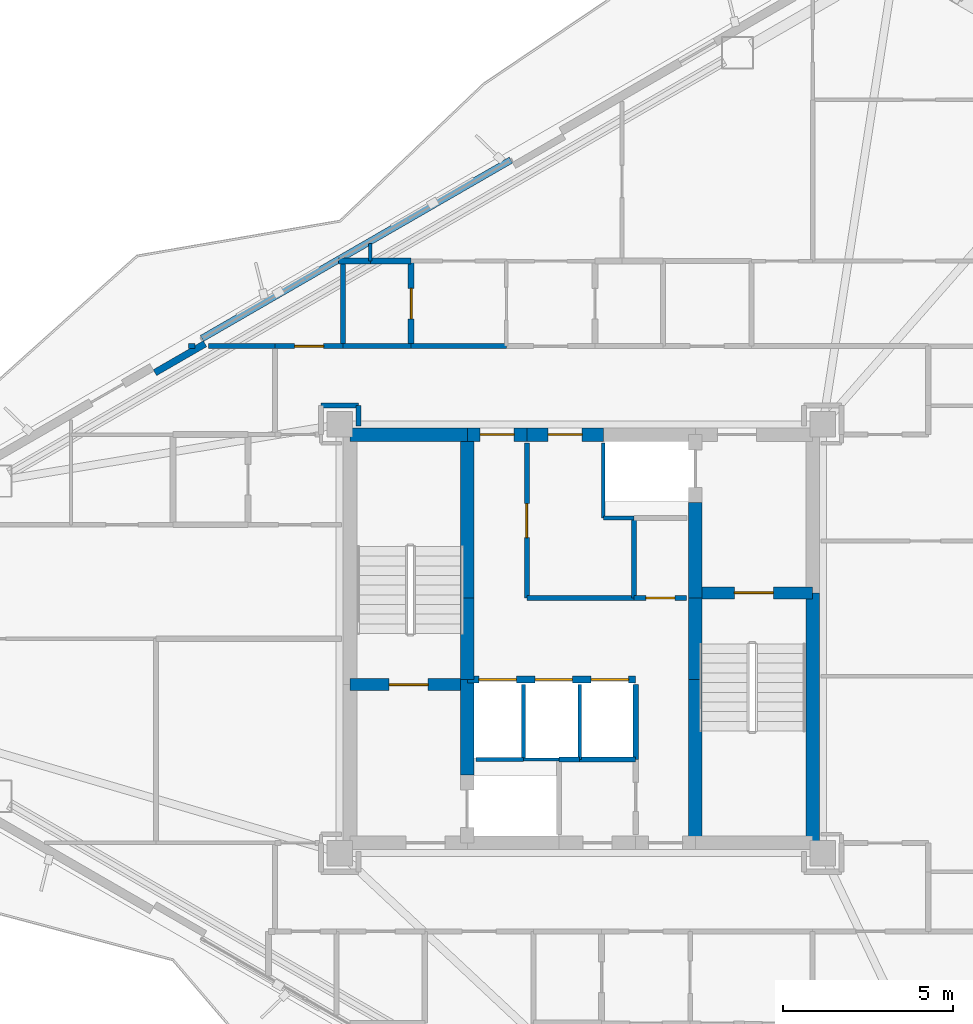
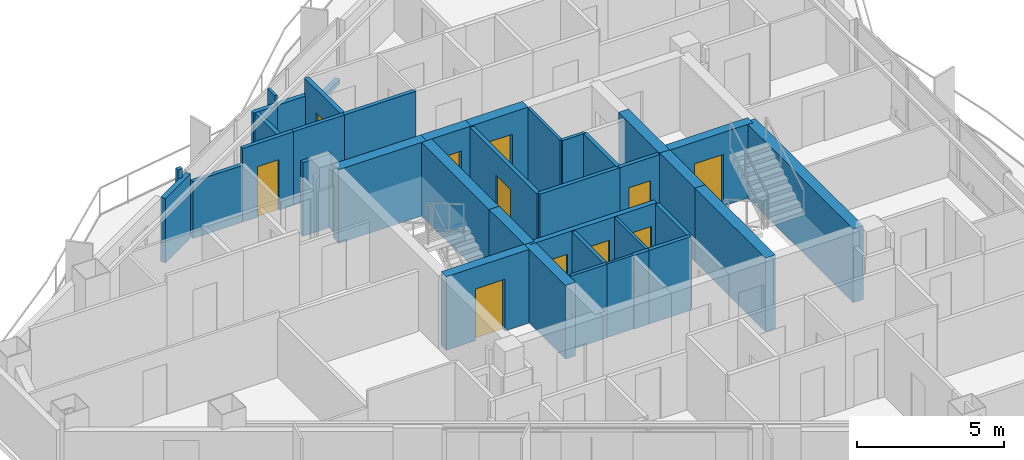
# One storey, part 14 of 18: 40 walls, 11 doors, 11 openings.
"""IFC4 building model written with IfcOpenShell, lengths in metres."""

from ifc_helpers import new_model, si_unit, direction, frame, frame_2d, origin, place, context, subcontext, project, spatial, rectangle, extrude, material, layer, layer_set, type_object, element, fill, save


model = new_model("IFC4")

# Units and contexts
model_context = context("Model", 3, precision=1e-05, world=origin(), true_north=direction((0.0, 1.0)))
body_context = subcontext(model_context, "Body", "Model", "MODEL_VIEW")
ifc_project = project(units=[si_unit("LENGTHUNIT", "METRE"), si_unit("AREAUNIT", "SQUARE_METRE"), si_unit("VOLUMEUNIT", "CUBIC_METRE"), si_unit("PLANEANGLEUNIT", "RADIAN"), si_unit("MASSUNIT", "GRAM", prefix="KILO")], contexts=[model_context])

# Site, building, storey
site_placement = place(None, origin())
site = spatial("IfcSite", under=ifc_project, at=site_placement, CompositionType="ELEMENT")
building_placement = place(site_placement, origin())
building = spatial("IfcBuilding", under=site, at=building_placement, Name="Mersakhor Tower and Convention Hall", CompositionType="ELEMENT")
storey_placement = place(building_placement, frame((0.0, 0.0, 134.39990234375)))
storey = spatial("IfcBuildingStorey", under=building, at=storey_placement, Name="L37", CompositionType="ELEMENT", Elevation=134.39990234375)

# Walls
ifc_material_1 = material(Name="Precast concrete C40/50", Category="concrete")
ifc_layer_1 = layer(ifc_material_1, 0.199951171875)
ifc_layer_set_1 = layer_set([ifc_layer_1], Name="Precast concrete C40/50")
wall_type_1 = type_object("IfcWallType", Name="WL-PAR-200", PredefinedType="PARAPET", material=ifc_layer_set_1)
wall_1_placement = place(storey_placement, frame((17.849853515625, 35.57666015625, 0.0), z_axis=(0.0, 0.0, 1.0), x_axis=(0.866026619769, 0.499997893847, 0.0)))
element("IfcWall", 1, at=wall_1_placement, inside=storey, type_object=wall_type_1, Name="L37 Curtain Wall Upstand Sill F1-B2", PredefinedType="PARAPET", context=body_context, shape_type="SweptSolid", body=[
    extrude(rectangle(XDim=10.48583984375, YDim=0.199951171875, at=frame_2d((5.242919921875, 0.0))), origin(), (0.0, 0.0, 1.0), 0.2001953125),
])
wall_2_placement = place(storey_placement, frame((16.467529296875, 34.57080078125, 0.0), z_axis=(0.0, 0.0, 1.0), x_axis=(0.865989465428, 0.500062241894, 0.0)))
element("IfcWall", 2, at=wall_2_placement, inside=storey, type_object=wall_type_1, Name="L37 Column Pier Cladding Wall F1-C1", PredefinedType="PARAPET", context=body_context, shape_type="SweptSolid", body=[
    extrude(rectangle(XDim=1.699951171875, YDim=0.199951171875, at=frame_2d((0.85009765625, 0.0))), origin(), (0.0, 0.0, 1.0), 2.68017578125),
])

# Wall, opening, door
ifc_material_2 = material(Name="Moisture-resistant acoustic drywall studwork", Category="other")
ifc_layer_2 = layer(ifc_material_2, 0.175048828125)
ifc_layer_set_2 = layer_set([ifc_layer_2], Name="Moisture-resistant acoustic drywall studwork")
wall_type_2 = type_object("IfcWallType", Name="WL-PLM-175", PredefinedType="PLUMBINGWALL", material=ifc_layer_set_2)
wall_3_placement = place(storey_placement, frame((24.0, 35.35009765625, 0.0), z_axis=(0.0, 0.0, 1.0), x_axis=(0.0, 1.0, 0.0)))
wall_3 = element("IfcWall", 3, at=wall_3_placement, inside=storey, type_object=wall_type_2, Name="L37 Interior Partition Wall P-064", PredefinedType="PLUMBINGWALL", context=body_context, shape_type="SweptSolid", body=[
    extrude(rectangle(XDim=2.5, YDim=0.175048828125, at=frame_2d((1.25, 0.0))), origin(), (0.0, 0.0, 1.0), 3.06005859375),
])
opening_1_placement = place(wall_3_placement, frame((0.800048828125, 0.0, 0.0)))
opening_1 = element("IfcOpeningElement", 4, at=opening_1_placement, cuts=wall_3, Name="Opening WD-01", PredefinedType="OPENING", context=body_context, shape_type="SweptSolid", body=[
    extrude(rectangle(XDim=0.89990234375, YDim=2.10009765625, at=frame_2d((0.449951171875, 1.050048828125))), frame((0.0, 0.097412109375, 0.0), z_axis=(0.0, -1.0, 0.0), x_axis=(1.0, 0.0, 0.0)), (0.0, 0.0, 1.0), 0.195068359375),
])
ifc_material_3 = material(Name="Solid-core hardwood leaf in painted steel frame", Category="steel")
door_type_1 = type_object("IfcDoorType", Name="DR-INT-WET-090x210", OperationType="NOTDEFINED", PredefinedType="DOOR", material=ifc_material_3)
door_1_placement = place(opening_1_placement, origin())
door_1 = element("IfcDoor", 5, at=door_1_placement, inside=storey, type_object=door_type_1, Name="L37 L37 Flat N1 Kitchen to L37 Flat N1 Bathroom Door", OperationType="SINGLE_SWING_RIGHT", OverallHeight=2.10009765625, OverallWidth=0.89990234375, PredefinedType="DOOR", context=body_context, shape_type="SweptSolid", body=[
    extrude(rectangle(XDim=0.89990234375, YDim=2.10009765625, at=frame_2d((0.449951171875, 1.050048828125))), frame((0.0, 0.02490234375, 0.0), z_axis=(0.0, -1.0, 0.0), x_axis=(1.0, 0.0, 0.0)), (0.0, 0.0, 1.0), 0.050048828125),
])
fill(opening_1, door_1)

# Walls
wall_4_placement = place(storey_placement, frame((21.8564453125, 37.85009765625, 0.0), z_axis=(0.0, 0.0, 1.0), x_axis=(1.0, 0.0, 0.0)))
element("IfcWall", 6, at=wall_4_placement, inside=storey, type_object=wall_type_2, Name="L37 Interior Partition Wall P-065", PredefinedType="PLUMBINGWALL", context=body_context, shape_type="SweptSolid", body=[
    extrude(rectangle(XDim=0.943603515625, YDim=0.175048828125, at=frame_2d((0.4716796875, 0.0))), origin(), (0.0, 0.0, 1.0), 2.364990234375),
])
wall_5_placement = place(storey_placement, frame((22.800048828125, 37.85009765625, 0.0), z_axis=(0.0, 0.0, 1.0), x_axis=(1.0, 0.0, 0.0)))
element("IfcWall", 7, at=wall_5_placement, inside=storey, type_object=wall_type_2, Name="L37 Interior Partition Wall P-066", PredefinedType="PLUMBINGWALL", context=body_context, shape_type="SweptSolid", body=[
    extrude(rectangle(XDim=1.199951171875, YDim=0.175048828125, at=frame_2d((0.60009765625, 0.0))), origin(), (0.0, 0.0, 1.0), 2.364990234375),
])
ifc_material_4 = material(Name="Lightweight gypsum partition", Category="other")
ifc_layer_3 = layer(ifc_material_4, 0.10009765625)
ifc_layer_set_3 = layer_set([ifc_layer_3], Name="Lightweight gypsum partition")
wall_type_3 = type_object("IfcWallType", Name="WL-PRT-100", PredefinedType="PARTITIONING", material=ifc_layer_set_3)
wall_6_placement = place(storey_placement, frame((27.300048828125, 23.199951171875, 0.0), z_axis=(0.0, 0.0, 1.0), x_axis=(1.0, 0.0, 0.0)))
element("IfcWall", 8, at=wall_6_placement, inside=storey, type_object=wall_type_3, Name="L37 Interior Partition Wall P-002", PredefinedType="PARTITIONING", context=body_context, shape_type="SweptSolid", body=[
    extrude(rectangle(XDim=1.050048828125, YDim=0.10009765625, at=frame_2d((0.52490234375, 0.0))), origin(), (0.0, 0.0, 1.0), 3.06005859375),
])
for number, where, z_axis, x_axis, name in (
    (9, (29.64990234375, 30.300048828125, 0.0), (0.0, 0.0, 1.0), (0.0, 1.0, 0.0), "L37 Interior Partition Wall P-006"),
    (10, (28.949951171875, 25.39990234375, 0.0), (0.0, 0.0, 1.0), (0.0, -1.0, 0.0), "L37 Interior Partition Wall P-008"),
):
    element("IfcWall", number, at=place(storey_placement, frame(where, z_axis=z_axis, x_axis=x_axis)), inside=storey, type_object=wall_type_3, Name=name, PredefinedType="PARTITIONING", context=body_context, shape_type="SweptSolid", body=[
        extrude(rectangle(XDim=2.199951171875, YDim=0.10009765625, at=frame_2d((1.10009765625, 0.0))), origin(), (0.0, 0.0, 1.0), 3.06005859375),
    ])
wall_7_placement = place(storey_placement, frame((22.800048828125, 37.85009765625, 0.0), z_axis=(0.0, 0.0, 1.0), x_axis=(0.0, 1.0, 0.0)))
element("IfcWall", 11, at=wall_7_placement, inside=storey, type_object=wall_type_3, Name="L37 Interior Partition Wall P-110", PredefinedType="PARTITIONING", context=body_context, shape_type="SweptSolid", body=[
    extrude(rectangle(XDim=0.510498046875, YDim=0.10009765625, at=frame_2d((0.25537109375, 0.0))), origin(), (0.0, 0.0, 1.0), 2.724609375),
])
ifc_material_5 = material(Name="Gypsum board acoustic partition", Category="other")
ifc_layer_4 = layer(ifc_material_5, 0.125)
ifc_layer_set_4 = layer_set([ifc_layer_4], Name="Gypsum board acoustic partition")
wall_type_4 = type_object("IfcWallType", Name="WL-PRT-125", PredefinedType="PARTITIONING", material=ifc_layer_set_4)
wall_8_placement = place(storey_placement, frame((25.89990234375, 23.199951171875, 0.0), z_axis=(0.0, 0.0, 1.0), x_axis=(1.0, 0.0, 0.0)))
element("IfcWall", 12, at=wall_8_placement, inside=storey, type_object=wall_type_4, Name="L37 Interior Partition Wall P-001", PredefinedType="PARTITIONING", context=body_context, shape_type="SweptSolid", body=[
    extrude(rectangle(XDim=1.400146484375, YDim=0.125, at=frame_2d((0.7001953125, 0.0))), origin(), (0.0, 0.0, 1.0), 3.06005859375),
])
wall_9_placement = place(storey_placement, frame((30.550048828125, 30.300048828125, 0.0), z_axis=(0.0, 0.0, 1.0), x_axis=(-1.0, 0.0, 0.0)))
element("IfcWall", 13, at=wall_9_placement, inside=storey, type_object=wall_type_4, Name="L37 Interior Partition Wall P-005", PredefinedType="PARTITIONING", context=body_context, shape_type="SweptSolid", body=[
    extrude(rectangle(XDim=0.900146484375, YDim=0.125, at=frame_2d((0.4501953125, 0.0))), origin(), (0.0, 0.0, 1.0), 3.06005859375),
])
wall_10_placement = place(storey_placement, frame((27.300048828125, 25.39990234375, 0.0), z_axis=(0.0, 0.0, 1.0), x_axis=(0.0, -1.0, 0.0)))
element("IfcWall", 14, at=wall_10_placement, inside=storey, type_object=wall_type_4, Name="L37 Interior Partition Wall P-007", PredefinedType="PARTITIONING", context=body_context, shape_type="SweptSolid", body=[
    extrude(rectangle(XDim=2.199951171875, YDim=0.125, at=frame_2d((1.10009765625, 0.0))), origin(), (0.0, 0.0, 1.0), 3.06005859375),
])
ifc_material_6 = material(Name="Fire-rated gypsum board stud partition", Category="other")
ifc_layer_5 = layer(ifc_material_6, 0.14990234375)
ifc_layer_set_5 = layer_set([ifc_layer_5], Name="Fire-rated gypsum board stud partition")
wall_type_5 = type_object("IfcWallType", Name="WL-PRT-150", PredefinedType="PARTITIONING", material=ifc_layer_set_5)
wall_11_placement = place(storey_placement, frame((28.949951171875, 23.199951171875, 0.0), z_axis=(0.0, 0.0, 1.0), x_axis=(-1.0, 0.0, 0.0)))
element("IfcWall", 15, at=wall_11_placement, inside=storey, type_object=wall_type_5, Name="L37 Interior Partition Wall P-009", PredefinedType="PARTITIONING", context=body_context, shape_type="SweptSolid", body=[
    extrude(rectangle(XDim=0.599853515625, YDim=0.14990234375, at=frame_2d((0.2998046875, 0.0))), origin(), (0.0, 0.0, 1.0), 3.06005859375),
])
wall_12_placement = place(storey_placement, frame((30.60009765625, 25.39990234375, 0.0), z_axis=(0.0, 0.0, 1.0), x_axis=(0.0, -1.0, 0.0)))
element("IfcWall", 16, at=wall_12_placement, inside=storey, type_object=wall_type_5, Name="L37 Interior Partition Wall P-010", PredefinedType="PARTITIONING", context=body_context, shape_type="SweptSolid", body=[
    extrude(rectangle(XDim=2.199951171875, YDim=0.14990234375, at=frame_2d((1.10009765625, 0.0))), origin(), (0.0, 0.0, 1.0), 3.06005859375),
])
wall_13_placement = place(storey_placement, frame((30.60009765625, 23.199951171875, 0.0), z_axis=(0.0, 0.0, 1.0), x_axis=(-1.0, 0.0, 0.0)))
element("IfcWall", 17, at=wall_13_placement, inside=storey, type_object=wall_type_5, Name="L37 Interior Partition Wall P-011", PredefinedType="PARTITIONING", context=body_context, shape_type="SweptSolid", body=[
    extrude(rectangle(XDim=1.650146484375, YDim=0.14990234375, at=frame_2d((0.8251953125, 0.0))), origin(), (0.0, 0.0, 1.0), 3.06005859375),
])

# Wall, opening, door
wall_14_placement = place(storey_placement, frame((27.39990234375, 32.5, 0.0), z_axis=(0.0, 0.0, 1.0), x_axis=(0.0, -1.0, 0.0)))
wall_14 = element("IfcWall", 18, at=wall_14_placement, inside=storey, type_object=wall_type_5, Name="L37 Interior Partition Wall P-013", PredefinedType="PARTITIONING", context=body_context, shape_type="SweptSolid", body=[
    extrude(rectangle(XDim=4.550048828125, YDim=0.14990234375, at=frame_2d((2.27490234375, 0.0))), origin(), (0.0, 0.0, 1.0), 3.06005859375),
])
opening_2_placement = place(wall_14_placement, frame((1.77490234375, 0.0, 0.0)))
opening_2 = element("IfcOpeningElement", 19, at=opening_2_placement, cuts=wall_14, Name="Opening FD-01", PredefinedType="OPENING", context=body_context, shape_type="SweptSolid", body=[
    extrude(rectangle(XDim=1.0, YDim=2.14990234375, at=frame_2d((0.5, 1.074951171875))), frame((0.0, 0.0849609375, 0.0), z_axis=(0.0, -1.0, 0.0), x_axis=(1.0, 0.0, 0.0)), (0.0, 0.0, 1.0), 0.169921875),
])
ifc_material_7 = material(Name="Fire-rated hardwood leaf and painted steel frame", Category="steel")
door_type_2 = type_object("IfcDoorType", Name="DR-INT-FLT-100x215", OperationType="NOTDEFINED", PredefinedType="DOOR", material=ifc_material_7)
door_2_placement = place(opening_2_placement, origin())
door_2 = element("IfcDoor", 20, at=door_2_placement, inside=storey, type_object=door_type_2, Name="L37 Central Passenger Lift Lobby to Quiet Core Study Room Door", OperationType="SINGLE_SWING_RIGHT", OverallHeight=2.14990234375, OverallWidth=1.0, PredefinedType="DOOR", context=body_context, shape_type="SweptSolid", body=[
    extrude(rectangle(XDim=1.0, YDim=2.14990234375, at=frame_2d((0.5, 1.074951171875))), frame((0.0, 0.02490234375, 0.0), z_axis=(0.0, -1.0, 0.0), x_axis=(1.0, 0.0, 0.0)), (0.0, 0.0, 1.0), 0.050048828125),
])
fill(opening_2, door_2)

# Wall
wall_15_placement = place(storey_placement, frame((27.39990234375, 27.949951171875, 0.0), z_axis=(0.0, 0.0, 1.0), x_axis=(1.0, 0.0, 0.0)))
element("IfcWall", 21, at=wall_15_placement, inside=storey, type_object=wall_type_5, Name="L37 Interior Partition Wall P-014", PredefinedType="PARTITIONING", context=body_context, shape_type="SweptSolid", body=[
    extrude(rectangle(XDim=3.150146484375, YDim=0.14990234375, at=frame_2d((1.5751953125, 0.0))), origin(), (0.0, 0.0, 1.0), 3.06005859375),
])

# Wall, opening, door
wall_16_placement = place(storey_placement, frame((30.550048828125, 27.949951171875, 0.0), z_axis=(0.0, 0.0, 1.0), x_axis=(1.0, 0.0, 0.0)))
wall_16 = element("IfcWall", 22, at=wall_16_placement, inside=storey, type_object=wall_type_5, Name="L37 Interior Partition Wall P-015", PredefinedType="PARTITIONING", context=body_context, shape_type="SweptSolid", body=[
    extrude(rectangle(XDim=1.550048828125, YDim=0.14990234375, at=frame_2d((0.77490234375, 0.0))), origin(), (0.0, 0.0, 1.0), 3.06005859375),
])
opening_3_placement = place(wall_16_placement, frame((0.35009765625, 0.0, 0.0)))
opening_3 = element("IfcOpeningElement", 23, at=opening_3_placement, cuts=wall_16, Name="Opening SVD-01", PredefinedType="OPENING", context=body_context, shape_type="SweptSolid", body=[
    extrude(rectangle(XDim=0.85009765625, YDim=2.10009765625, at=frame_2d((0.425048828125, 1.050048828125))), frame((0.0, 0.0849609375, 0.0), z_axis=(0.0, -1.0, 0.0), x_axis=(1.0, 0.0, 0.0)), (0.0, 0.0, 1.0), 0.169921875),
])
ifc_material_8 = material(Name="Fire-rated hardwood leaf and painted steel frame", Category="steel")
door_type_3 = type_object("IfcDoorType", Name="DR-INT-SVC-085x210", OperationType="NOTDEFINED", PredefinedType="DOOR", material=ifc_material_8)
door_3_placement = place(opening_3_placement, origin())
door_3 = element("IfcDoor", 24, at=door_3_placement, inside=storey, type_object=door_type_3, Name="L37 Central Passenger Lift Lobby to Housekeeping Linen Store Room Door", OperationType="SINGLE_SWING_LEFT", OverallHeight=2.10009765625, OverallWidth=0.85009765625, PredefinedType="DOOR", context=body_context, shape_type="SweptSolid", body=[
    extrude(rectangle(XDim=0.85009765625, YDim=2.10009765625, at=frame_2d((0.425048828125, 1.050048828125))), frame((0.0, 0.02490234375, 0.0), z_axis=(0.0, -1.0, 0.0), x_axis=(1.0, 0.0, 0.0)), (0.0, 0.0, 1.0), 0.050048828125),
])
fill(opening_3, door_3)

# Walls
wall_17_placement = place(storey_placement, frame((22.449951171875, 33.0, 0.0), z_axis=(0.0, 0.0, 1.0), x_axis=(0.0, 1.0, 0.0)))
element("IfcWall", 25, at=wall_17_placement, inside=storey, type_object=wall_type_5, Name="L37 Interior Partition Wall P-017", PredefinedType="PARTITIONING", context=body_context, shape_type="SweptSolid", body=[
    extrude(rectangle(XDim=0.60009765625, YDim=0.14990234375, at=frame_2d((0.300048828125, 0.0))), origin(), (0.0, 0.0, 1.0), 2.50830078125),
])
wall_18_placement = place(storey_placement, frame((22.449951171875, 33.60009765625, 0.0), z_axis=(0.0, 0.0, 1.0), x_axis=(-1.0, 0.0, 0.0)))
element("IfcWall", 26, at=wall_18_placement, inside=storey, type_object=wall_type_5, Name="L37 Interior Partition Wall P-018", PredefinedType="PARTITIONING", context=body_context, shape_type="SweptSolid", body=[
    extrude(rectangle(XDim=1.099853515625, YDim=0.14990234375, at=frame_2d((0.5498046875, 0.0))), origin(), (0.0, 0.0, 1.0), 3.06005859375),
])

# Wall, opening, door
wall_19_placement = place(storey_placement, frame((20.0, 35.35009765625, 0.0), z_axis=(0.0, 0.0, 1.0), x_axis=(1.0, 0.0, 0.0)))
wall_19 = element("IfcWall", 27, at=wall_19_placement, inside=storey, type_object=wall_type_5, Name="L37 Interior Partition Wall P-022", PredefinedType="PARTITIONING", context=body_context, shape_type="SweptSolid", body=[
    extrude(rectangle(XDim=2.0, YDim=0.14990234375, at=frame_2d((1.0, 0.0))), origin(), (0.0, 0.0, 1.0), 3.06005859375),
])
opening_4_placement = place(wall_19_placement, frame((0.574951171875, 0.0, 0.0)))
opening_4 = element("IfcOpeningElement", 28, at=opening_4_placement, cuts=wall_19, Name="Opening SVD-01", PredefinedType="OPENING", context=body_context, shape_type="SweptSolid", body=[
    extrude(rectangle(XDim=0.85009765625, YDim=2.10009765625, at=frame_2d((0.425048828125, 1.050048828125))), frame((0.0, 0.0849609375, 0.0), z_axis=(0.0, -1.0, 0.0), x_axis=(1.0, 0.0, 0.0)), (0.0, 0.0, 1.0), 0.169921875),
])
door_4_placement = place(opening_4_placement, origin())
door_4 = element("IfcDoor", 29, at=door_4_placement, inside=storey, type_object=door_type_3, Name="L37 Residential North Gallery Corridor to L37 North-West Household Store Room Door", OperationType="SINGLE_SWING_LEFT", OverallHeight=2.10009765625, OverallWidth=0.85009765625, PredefinedType="DOOR", context=body_context, shape_type="SweptSolid", body=[
    extrude(rectangle(XDim=0.85009765625, YDim=2.10009765625, at=frame_2d((0.425048828125, 1.050048828125))), frame((0.0, 0.02490234375, 0.0), z_axis=(0.0, -1.0, 0.0), x_axis=(1.0, 0.0, 0.0)), (0.0, 0.0, 1.0), 0.050048828125),
])
fill(opening_4, door_4)

# Walls
wall_20_placement = place(storey_placement, frame((22.0, 35.35009765625, 0.0), z_axis=(0.0, 0.0, 1.0), x_axis=(1.0, 0.0, 0.0)))
element("IfcWall", 30, at=wall_20_placement, inside=storey, type_object=wall_type_5, Name="L37 Interior Partition Wall P-023", PredefinedType="PARTITIONING", context=body_context, shape_type="SweptSolid", body=[
    extrude(rectangle(XDim=2.0, YDim=0.14990234375, at=frame_2d((1.0, 0.0))), origin(), (0.0, 0.0, 1.0), 3.06005859375),
])
wall_21_placement = place(storey_placement, frame((24.0, 35.35009765625, 0.0), z_axis=(0.0, 0.0, 1.0), x_axis=(1.0, 0.0, 0.0)))
element("IfcWall", 31, at=wall_21_placement, inside=storey, type_object=wall_type_5, Name="L37 Interior Partition Wall P-024", PredefinedType="PARTITIONING", context=body_context, shape_type="SweptSolid", body=[
    extrude(rectangle(XDim=2.800048828125, YDim=0.14990234375, at=frame_2d((1.39990234375, 0.0))), origin(), (0.0, 0.0, 1.0), 3.06005859375),
])
wall_22_placement = place(storey_placement, frame((22.0, 35.35009765625, 0.0), z_axis=(0.0, 0.0, 1.0), x_axis=(0.0, 1.0, 0.0)))
element("IfcWall", 32, at=wall_22_placement, inside=storey, type_object=wall_type_5, Name="L37 Interior Partition Wall P-067", PredefinedType="PARTITIONING", context=body_context, shape_type="SweptSolid", body=[
    extrude(rectangle(XDim=2.578857421875, YDim=0.14990234375, at=frame_2d((1.28955078125, 0.0))), origin(), (0.0, 0.0, 1.0), 2.364990234375),
])
wall_23_placement = place(storey_placement, frame((30.550048828125, 30.300048828125, 0.0), z_axis=(0.0, 0.0, 1.0), x_axis=(0.0, -1.0, 0.0)))
element("IfcWall", 33, at=wall_23_placement, inside=storey, type_object=wall_type_5, Name="L37 Interior Partition Wall P-085", PredefinedType="PARTITIONING", context=body_context, shape_type="SweptSolid", body=[
    extrude(rectangle(XDim=2.35009765625, YDim=0.14990234375, at=frame_2d((1.175048828125, 0.0))), origin(), (0.0, 0.0, 1.0), 3.06005859375),
])
wall_24_placement = place(storey_placement, frame((20.0, 35.35009765625, 0.0), z_axis=(0.0, 0.0, 1.0), x_axis=(-1.0, 0.0, 0.0)))
element("IfcWall", 34, at=wall_24_placement, inside=storey, type_object=wall_type_5, Name="L37 Interior Partition Wall P-088", PredefinedType="PARTITIONING", context=body_context, shape_type="SweptSolid", body=[
    extrude(rectangle(XDim=1.95751953125, YDim=0.14990234375, at=frame_2d((0.978759765625, 0.0))), origin(), (0.0, 0.0, 1.0), 2.364990234375),
])
wall_25_placement = place(storey_placement, frame((17.64208984375, 35.35009765625, 0.0), z_axis=(0.0, 0.0, 1.0), x_axis=(-1.0, 0.0, 0.0)))
element("IfcWall", 35, at=wall_25_placement, inside=storey, type_object=wall_type_5, Name="L37 Interior Partition Wall P-089", PredefinedType="PARTITIONING", context=body_context, shape_type="SweptSolid", body=[
    extrude(rectangle(XDim=0.18505859375, YDim=0.14990234375, at=frame_2d((0.092529296875, 0.0))), origin(), (0.0, 0.0, 1.0), 3.06005859375),
])

# Wall, openings, doors
ifc_material_9 = material(Name="Acoustic concrete blockwork and gypsum board", Category="masonry")
ifc_layer_6 = layer(ifc_material_9, 0.199951171875)
ifc_layer_set_6 = layer_set([ifc_layer_6], Name="Acoustic concrete blockwork and gypsum board")
wall_type_6 = type_object("IfcWallType", Name="WL-PRT-200", PredefinedType="PARTITIONING", material=ifc_layer_set_6)
wall_26_placement = place(storey_placement, frame((25.64990234375, 25.550048828125, 0.0), z_axis=(0.0, 0.0, 1.0), x_axis=(1.0, 0.0, 0.0)))
wall_26 = element("IfcWall", 36, at=wall_26_placement, inside=storey, type_object=wall_type_6, Name="L37 High-Rise Lift Bank Front Wall", PredefinedType="PARTITIONING", context=body_context, shape_type="SweptSolid", body=[
    extrude(rectangle(XDim=4.9501953125, YDim=0.199951171875, at=frame_2d((2.47509765625, 0.0))), origin(), (0.0, 0.0, 1.0), 3.06005859375),
])
opening_5_placement = place(wall_26_placement, frame((0.340087890625, 0.0, 0.0)))
opening_5 = element("IfcOpeningElement", 37, at=opening_5_placement, cuts=wall_26, Name="Opening LD-P4", PredefinedType="OPENING", context=body_context, shape_type="SweptSolid", body=[
    extrude(rectangle(XDim=1.10009765625, YDim=2.14990234375, at=frame_2d((0.550048828125, 1.074951171875))), frame((0.0, 0.10986328125, 0.0), z_axis=(0.0, -1.0, 0.0), x_axis=(1.0, 0.0, 0.0)), (0.0, 0.0, 1.0), 0.219970703125),
])
opening_6_placement = place(wall_26_placement, frame((1.989990234375, 0.0, 0.0)))
opening_6 = element("IfcOpeningElement", 38, at=opening_6_placement, cuts=wall_26, Name="Opening LD-P5", PredefinedType="OPENING", context=body_context, shape_type="SweptSolid", body=[
    extrude(rectangle(XDim=1.10009765625, YDim=2.14990234375, at=frame_2d((0.550048828125, 1.074951171875))), frame((0.0, 0.10986328125, 0.0), z_axis=(0.0, -1.0, 0.0), x_axis=(1.0, 0.0, 0.0)), (0.0, 0.0, 1.0), 0.219970703125),
])
opening_7_placement = place(wall_26_placement, frame((3.639892578125, 0.0, 0.0)))
opening_7 = element("IfcOpeningElement", 39, at=opening_7_placement, cuts=wall_26, Name="Opening LD-P6", PredefinedType="OPENING", context=body_context, shape_type="SweptSolid", body=[
    extrude(rectangle(XDim=1.10009765625, YDim=2.14990234375, at=frame_2d((0.550048828125, 1.074951171875))), frame((0.0, 0.10986328125, 0.0), z_axis=(0.0, -1.0, 0.0), x_axis=(1.0, 0.0, 0.0)), (0.0, 0.0, 1.0), 0.219970703125),
])
ifc_material_10 = material(Name="Fire-rated brushed stainless steel sliding landing door", Category="steel")
door_type_4 = type_object("IfcDoorType", Name="DR-LIFT-SLD-110x215", OperationType="NOTDEFINED", PredefinedType="DOOR", material=ifc_material_10)
door_5_placement = place(opening_5_placement, origin())
door_5 = element("IfcDoor", 40, at=door_5_placement, inside=storey, type_object=door_type_4, Name="L37 Lift Landing Door LD-P4", OperationType="SLIDING_TO_LEFT", OverallHeight=2.14990234375, OverallWidth=1.10009765625, PredefinedType="DOOR", context=body_context, shape_type="SweptSolid", body=[
    extrude(rectangle(XDim=1.10009765625, YDim=2.14990234375, at=frame_2d((0.550048828125, 1.074951171875))), frame((0.0, 0.02490234375, 0.0), z_axis=(0.0, -1.0, 0.0), x_axis=(1.0, 0.0, 0.0)), (0.0, 0.0, 1.0), 0.050048828125),
])
fill(opening_5, door_5)
door_6_placement = place(opening_6_placement, origin())
door_6 = element("IfcDoor", 41, at=door_6_placement, inside=storey, type_object=door_type_4, Name="L37 Lift Landing Door LD-P5", OperationType="SLIDING_TO_LEFT", OverallHeight=2.14990234375, OverallWidth=1.10009765625, PredefinedType="DOOR", context=body_context, shape_type="SweptSolid", body=[
    extrude(rectangle(XDim=1.10009765625, YDim=2.14990234375, at=frame_2d((0.550048828125, 1.074951171875))), frame((0.0, 0.02490234375, 0.0), z_axis=(0.0, -1.0, 0.0), x_axis=(1.0, 0.0, 0.0)), (0.0, 0.0, 1.0), 0.050048828125),
])
fill(opening_6, door_6)
door_7_placement = place(opening_7_placement, origin())
door_7 = element("IfcDoor", 42, at=door_7_placement, inside=storey, type_object=door_type_4, Name="L37 Lift Landing Door LD-P6", OperationType="SLIDING_TO_LEFT", OverallHeight=2.14990234375, OverallWidth=1.10009765625, PredefinedType="DOOR", context=body_context, shape_type="SweptSolid", body=[
    extrude(rectangle(XDim=1.10009765625, YDim=2.14990234375, at=frame_2d((0.550048828125, 1.074951171875))), frame((0.0, 0.02490234375, 0.0), z_axis=(0.0, -1.0, 0.0), x_axis=(1.0, 0.0, 0.0)), (0.0, 0.0, 1.0), 0.050048828125),
])
fill(opening_7, door_7)

# Wall, opening, door
ifc_material_11 = material(Name="Concrete C50/60", Category="concrete")
ifc_layer_7 = layer(ifc_material_11, 0.35009765625)
ifc_layer_set_7 = layer_set([ifc_layer_7], Name="Concrete C50/60")
wall_type_7 = type_object("IfcWallType", Name="WL-SHR-350", PredefinedType="SHEAR", material=ifc_layer_set_7)
wall_27_placement = place(storey_placement, frame((22.199951171875, 25.39990234375, 0.0), z_axis=(0.0, 0.0, 1.0), x_axis=(1.0, 0.0, 0.0)))
wall_27 = element("IfcWall", 43, at=wall_27_placement, inside=storey, type_object=wall_type_7, Name="L37 Core Wall CS-ST1-S", PredefinedType="SHEAR", context=body_context, shape_type="SweptSolid", body=[
    extrude(rectangle(XDim=3.449951171875, YDim=0.35009765625, at=frame_2d((1.72509765625, 0.0))), origin(), (0.0, 0.0, 1.0), 3.06005859375),
])
opening_8_placement = place(wall_27_placement, frame((1.14990234375, 0.0, 0.0)))
opening_8 = element("IfcOpeningElement", 44, at=opening_8_placement, cuts=wall_27, Name="Opening SD-01", PredefinedType="OPENING", context=body_context, shape_type="SweptSolid", body=[
    extrude(rectangle(XDim=1.14990234375, YDim=2.14990234375, at=frame_2d((0.574951171875, 1.074951171875))), frame((0.0, 0.18505859375, 0.0), z_axis=(0.0, -1.0, 0.0), x_axis=(1.0, 0.0, 0.0)), (0.0, 0.0, 1.0), 0.3701171875),
])
ifc_material_12 = material(Name="Fire-rated hardwood leaf and painted steel frame", Category="steel")
door_type_5 = type_object("IfcDoorType", Name="DR-INT-STAIR-115x215", OperationType="NOTDEFINED", PredefinedType="DOOR", material=ifc_material_12)
door_8_placement = place(opening_8_placement, origin())
door_8 = element("IfcDoor", 45, at=door_8_placement, inside=storey, type_object=door_type_5, Name="L37 Exit Stair ST-1 Enclosure Door", OperationType="SINGLE_SWING_LEFT", OverallHeight=2.14990234375, OverallWidth=1.14990234375, PredefinedType="DOOR", context=body_context, shape_type="SweptSolid", body=[
    extrude(rectangle(XDim=1.14990234375, YDim=2.14990234375, at=frame_2d((0.574951171875, 1.074951171875))), frame((0.0, 0.02490234375, 0.0), z_axis=(0.0, -1.0, 0.0), x_axis=(1.0, 0.0, 0.0)), (0.0, 0.0, 1.0), 0.050048828125),
])
fill(opening_8, door_8)

wall_28_placement = place(storey_placement, frame((32.35009765625, 28.10009765625, 0.0), z_axis=(0.0, 0.0, 1.0), x_axis=(1.0, 0.0, 0.0)))
wall_28 = element("IfcWall", 46, at=wall_28_placement, inside=storey, type_object=wall_type_7, Name="L37 Core Wall CS-ST2-N", PredefinedType="SHEAR", context=body_context, shape_type="SweptSolid", body=[
    extrude(rectangle(XDim=3.449951171875, YDim=0.35009765625, at=frame_2d((1.72509765625, 0.0))), origin(), (0.0, 0.0, 1.0), 3.06005859375),
])
opening_9_placement = place(wall_28_placement, frame((1.14990234375, 0.0, 0.0)))
opening_9 = element("IfcOpeningElement", 47, at=opening_9_placement, cuts=wall_28, Name="Opening SD-01", PredefinedType="OPENING", context=body_context, shape_type="SweptSolid", body=[
    extrude(rectangle(XDim=1.14990234375, YDim=2.14990234375, at=frame_2d((0.574951171875, 1.074951171875))), frame((0.0, 0.18505859375, 0.0), z_axis=(0.0, -1.0, 0.0), x_axis=(1.0, 0.0, 0.0)), (0.0, 0.0, 1.0), 0.3701171875),
])
door_9_placement = place(opening_9_placement, origin())
door_9 = element("IfcDoor", 48, at=door_9_placement, inside=storey, type_object=door_type_5, Name="L37 Exit Stair ST-2 Enclosure Door", OperationType="SINGLE_SWING_RIGHT", OverallHeight=2.14990234375, OverallWidth=1.14990234375, PredefinedType="DOOR", context=body_context, shape_type="SweptSolid", body=[
    extrude(rectangle(XDim=1.14990234375, YDim=2.14990234375, at=frame_2d((0.574951171875, 1.074951171875))), frame((0.0, 0.02490234375, 0.0), z_axis=(0.0, -1.0, 0.0), x_axis=(1.0, 0.0, 0.0)), (0.0, 0.0, 1.0), 0.050048828125),
])
fill(opening_9, door_9)

# Wall
ifc_material_13 = material(Name="Concrete C60/75", Category="concrete")
ifc_layer_8 = layer(ifc_material_13, 0.39990234375)
ifc_layer_set_8 = layer_set([ifc_layer_8], Name="Concrete C60/75")
wall_type_8 = type_object("IfcWallType", Name="WL-SHR-400", PredefinedType="SHEAR", material=ifc_layer_set_8)
wall_29_placement = place(storey_placement, frame((22.199951171875, 32.75, 0.0), z_axis=(0.0, 0.0, 1.0), x_axis=(1.0, 0.0, 0.0)))
element("IfcWall", 49, at=wall_29_placement, inside=storey, type_object=wall_type_8, Name="L37 Core Wall CW-N1", PredefinedType="SHEAR", context=body_context, shape_type="SweptSolid", body=[
    extrude(rectangle(XDim=3.449951171875, YDim=0.39990234375, at=frame_2d((1.72509765625, 0.0))), origin(), (0.0, 0.0, 1.0), 3.06005859375),
])

# Wall, opening, door
wall_30_placement = place(storey_placement, frame((25.64990234375, 32.75, 0.0), z_axis=(0.0, 0.0, 1.0), x_axis=(1.0, 0.0, 0.0)))
wall_30 = element("IfcWall", 50, at=wall_30_placement, inside=storey, type_object=wall_type_8, Name="L37 Core Wall CW-N2A", PredefinedType="SHEAR", context=body_context, shape_type="SweptSolid", body=[
    extrude(rectangle(XDim=1.75, YDim=0.39990234375, at=frame_2d((0.875, 0.0))), origin(), (0.0, 0.0, 1.0), 3.06005859375),
])
opening_10_placement = place(wall_30_placement, frame((0.375, 0.0, 0.0)))
opening_10 = element("IfcOpeningElement", 51, at=opening_10_placement, cuts=wall_30, Name="Opening CFD-01", PredefinedType="OPENING", context=body_context, shape_type="SweptSolid", body=[
    extrude(rectangle(XDim=1.0, YDim=2.14990234375, at=frame_2d((0.5, 1.074951171875))), frame((0.0, 0.2099609375, 0.0), z_axis=(0.0, -1.0, 0.0), x_axis=(1.0, 0.0, 0.0)), (0.0, 0.0, 1.0), 0.419921875),
])
ifc_material_14 = material(Name="Fire-rated hardwood leaf and painted steel frame", Category="steel")
door_type_6 = type_object("IfcDoorType", Name="DR-CORE-FD-100x215", OperationType="NOTDEFINED", PredefinedType="DOOR", material=ifc_material_14)
door_10_placement = place(opening_10_placement, origin())
door_10 = element("IfcDoor", 52, at=door_10_placement, inside=storey, type_object=door_type_6, Name="L37 Lift Lobby North Corridor Door", OperationType="SINGLE_SWING_LEFT", OverallHeight=2.14990234375, OverallWidth=1.0, PredefinedType="DOOR", context=body_context, shape_type="SweptSolid", body=[
    extrude(rectangle(XDim=1.0, YDim=2.14990234375, at=frame_2d((0.5, 1.074951171875))), frame((0.0, 0.02490234375, 0.0), z_axis=(0.0, -1.0, 0.0), x_axis=(1.0, 0.0, 0.0)), (0.0, 0.0, 1.0), 0.050048828125),
])
fill(opening_10, door_10)

wall_31_placement = place(storey_placement, frame((27.39990234375, 32.75, 0.0), z_axis=(0.0, 0.0, 1.0), x_axis=(1.0, 0.0, 0.0)))
wall_31 = element("IfcWall", 53, at=wall_31_placement, inside=storey, type_object=wall_type_8, Name="L37 Core Wall CW-N2B", PredefinedType="SHEAR", context=body_context, shape_type="SweptSolid", body=[
    extrude(rectangle(XDim=2.25, YDim=0.39990234375, at=frame_2d((1.125, 0.0))), origin(), (0.0, 0.0, 1.0), 3.06005859375),
])
opening_11_placement = place(wall_31_placement, frame((0.625, 0.0, 0.0)))
opening_11 = element("IfcOpeningElement", 54, at=opening_11_placement, cuts=wall_31, Name="Opening FD-01", PredefinedType="OPENING", context=body_context, shape_type="SweptSolid", body=[
    extrude(rectangle(XDim=1.0, YDim=2.14990234375, at=frame_2d((0.5, 1.074951171875))), frame((0.0, 0.2099609375, 0.0), z_axis=(0.0, -1.0, 0.0), x_axis=(1.0, 0.0, 0.0)), (0.0, 0.0, 1.0), 0.419921875),
])
door_11_placement = place(opening_11_placement, origin())
door_11 = element("IfcDoor", 55, at=door_11_placement, inside=storey, type_object=door_type_2, Name="L37 Residential North Gallery Corridor to Quiet Core Study Room Door", OperationType="SINGLE_SWING_LEFT", OverallHeight=2.14990234375, OverallWidth=1.0, PredefinedType="DOOR", context=body_context, shape_type="SweptSolid", body=[
    extrude(rectangle(XDim=1.0, YDim=2.14990234375, at=frame_2d((0.5, 1.074951171875))), frame((0.0, 0.02490234375, 0.0), z_axis=(0.0, -1.0, 0.0), x_axis=(1.0, 0.0, 0.0)), (0.0, 0.0, 1.0), 0.050048828125),
])
fill(opening_11, door_11)

# Walls
wall_32_placement = place(storey_placement, frame((35.800048828125, 28.10009765625, 0.0), z_axis=(0.0, 0.0, 1.0), x_axis=(0.0, -1.0, 0.0)))
element("IfcWall", 56, at=wall_32_placement, inside=storey, type_object=wall_type_8, Name="L37 Core Wall CW-E2", PredefinedType="SHEAR", context=body_context, shape_type="SweptSolid", body=[
    extrude(rectangle(XDim=7.35009765625, YDim=0.39990234375, at=frame_2d((3.675048828125, 0.0))), origin(), (0.0, 0.0, 1.0), 3.06005859375),
])
wall_33_placement = place(storey_placement, frame((25.64990234375, 22.75, 0.0), z_axis=(0.0, 0.0, 1.0), x_axis=(0.0, 1.0, 0.0)))
element("IfcWall", 57, at=wall_33_placement, inside=storey, type_object=wall_type_8, Name="L37 Core Wall CS-W-MID", PredefinedType="SHEAR", context=body_context, shape_type="SweptSolid", body=[
    extrude(rectangle(XDim=2.800048828125, YDim=0.39990234375, at=frame_2d((1.39990234375, 0.0))), origin(), (0.0, 0.0, 1.0), 3.06005859375),
])
wall_34_placement = place(storey_placement, frame((25.64990234375, 25.550048828125, 0.0), z_axis=(0.0, 0.0, 1.0), x_axis=(0.0, 1.0, 0.0)))
element("IfcWall", 58, at=wall_34_placement, inside=storey, type_object=wall_type_8, Name="L37 Core Wall CS-W-LOB", PredefinedType="SHEAR", context=body_context, shape_type="SweptSolid", body=[
    extrude(rectangle(XDim=2.39990234375, YDim=0.39990234375, at=frame_2d((1.199951171875, 0.0))), origin(), (0.0, 0.0, 1.0), 3.06005859375),
])
for number, where, z_axis, x_axis, name in (
    (59, (25.64990234375, 27.949951171875, 0.0), (0.0, 0.0, 1.0), (0.0, 1.0, 0.0), "L37 Core Wall CS-W-ST1"),
    (60, (32.35009765625, 20.75, 0.0), (0.0, 0.0, 1.0), (0.0, 1.0, 0.0), "L37 Core Wall CS-E-ST2"),
):
    element("IfcWall", number, at=place(storey_placement, frame(where, z_axis=z_axis, x_axis=x_axis)), inside=storey, type_object=wall_type_8, Name=name, PredefinedType="SHEAR", context=body_context, shape_type="SweptSolid", body=[
        extrude(rectangle(XDim=4.800048828125, YDim=0.39990234375, at=frame_2d((2.39990234375, 0.0))), origin(), (0.0, 0.0, 1.0), 3.06005859375),
    ])
wall_35_placement = place(storey_placement, frame((32.35009765625, 25.550048828125, 0.0), z_axis=(0.0, 0.0, 1.0), x_axis=(0.0, 1.0, 0.0)))
element("IfcWall", 61, at=wall_35_placement, inside=storey, type_object=wall_type_8, Name="L37 Core Wall CS-E-LOB", PredefinedType="SHEAR", context=body_context, shape_type="SweptSolid", body=[
    extrude(rectangle(XDim=2.39990234375, YDim=0.39990234375, at=frame_2d((1.199951171875, 0.0))), origin(), (0.0, 0.0, 1.0), 3.06005859375),
])
wall_36_placement = place(storey_placement, frame((32.35009765625, 27.949951171875, 0.0), z_axis=(0.0, 0.0, 1.0), x_axis=(0.0, 1.0, 0.0)))
element("IfcWall", 62, at=wall_36_placement, inside=storey, type_object=wall_type_8, Name="L37 Core Wall CS-E-MID", PredefinedType="SHEAR", context=body_context, shape_type="SweptSolid", body=[
    extrude(rectangle(XDim=2.800048828125, YDim=0.39990234375, at=frame_2d((1.39990234375, 0.0))), origin(), (0.0, 0.0, 1.0), 3.06005859375),
])

save(model, "model.ifc")
